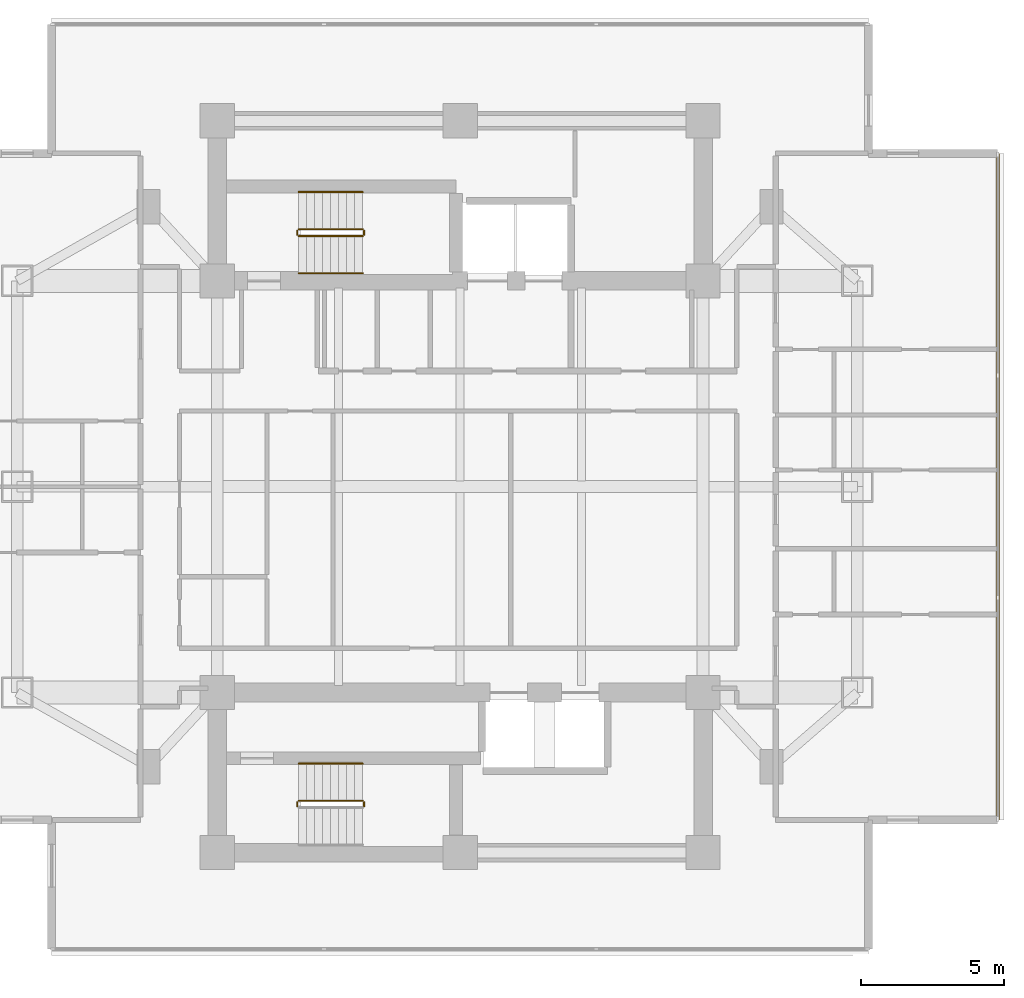
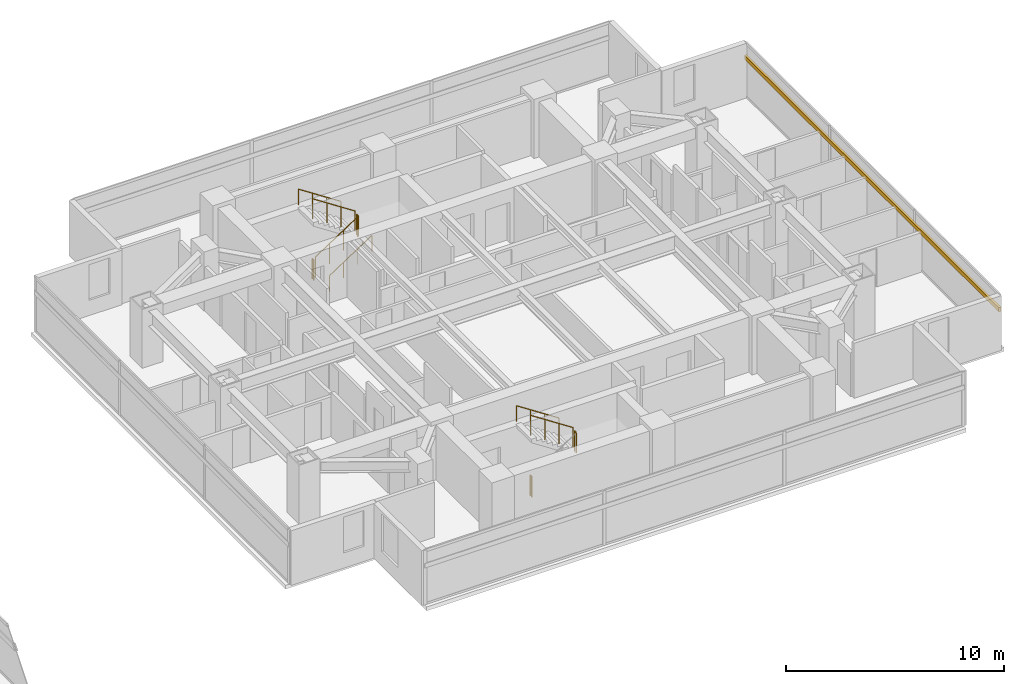
# One storey, part 24 of 25: 10 railings, 1 shading device.
"""IFC4 building model written with IfcOpenShell, lengths in metres."""

from ifc_helpers import new_model, si_unit, direction, frame, origin, origin_2d, place, context, subcontext, project, spatial, rectangle, circle, extrude, material, material_profile, profile_set, type_object, element, save


model = new_model("IFC4")

# Units and contexts
model_context = context("Model", 3, precision=1e-05, world=origin(), true_north=direction((0.0, 1.0)))
body_context = subcontext(model_context, "Body", "Model", "MODEL_VIEW")
ifc_project = project(units=[si_unit("LENGTHUNIT", "METRE"), si_unit("AREAUNIT", "SQUARE_METRE"), si_unit("VOLUMEUNIT", "CUBIC_METRE"), si_unit("PLANEANGLEUNIT", "RADIAN"), si_unit("MASSUNIT", "GRAM", prefix="KILO")], contexts=[model_context])

# Site, building, storey
site_placement = place(None, origin())
site = spatial("IfcSite", under=ifc_project, at=site_placement, CompositionType="ELEMENT")
building_placement = place(site_placement, origin())
building = spatial("IfcBuilding", under=site, at=building_placement, Name="Mirazonda Arch Towers", CompositionType="ELEMENT")
storey_placement = place(building_placement, frame((0.0, 0.0, 111.5)))
storey = spatial("IfcBuildingStorey", under=building, at=storey_placement, Name="L31", CompositionType="ELEMENT", Elevation=111.5)

# Shading device
ifc_material_1 = material(Name="Kiln-Fired Architectural Terracotta", Category="masonry")
ifc_material_profile = material_profile(ifc_material_1, rectangle(XDim=0.1201171875, YDim=0.239990234375, at=origin_2d()), Name="TERRA-BAG-120x240")
ifc_profile_set = profile_set([ifc_material_profile], Name="Kiln-Fired Architectural Terracotta")
shading_device_type = type_object("IfcShadingDeviceType", Name="BAGUETTE-1", PredefinedType="USERDEFINED", material=ifc_profile_set)
shading_device_placement = place(storey_placement, frame((95.30859375, 16.335693359375, 2.203125), z_axis=(0.0, 1.0, 0.0), x_axis=(-1.0, 0.0, 0.0)))
element("IfcShadingDevice", 1, at=shading_device_placement, inside=storey, type_object=shading_device_type, Name="L31 Glazed Terracotta Sun-Screen Baguette CW-L31-T2-E", ObjectType="BAGUETTE", PredefinedType="USERDEFINED", context=body_context, shape_type="SweptSolid", body=[
    extrude(rectangle(XDim=0.1201171875, YDim=0.239990234375, at=origin_2d()), origin(), (0.0, 0.0, 1.0), 23.32861328125),
])

# Railings
ifc_material_2 = material(Name="Architectural Brushed Steel S355", Category="steel")
railing_type_1 = type_object("IfcRailingType", Name="GUARD-STAIR-1120", PredefinedType="GUARDRAIL", material=ifc_material_2)
railing_1_placement = place(storey_placement, frame((70.85009765625, 36.77001953125, 0.183349609375)))
element("IfcRailing", 2, at=railing_1_placement, inside=storey, type_object=railing_type_1, Name="L31 ST-T2N stair guard 1", PredefinedType="GUARDRAIL", context=body_context, shape_type="SweptSolid", body=[
    extrude(circle(Radius=0.02392578125, at=origin_2d()), frame((0.0, 0.0, 1.1259765625), z_axis=(0.836636935527, 0.0, 0.547757827979), x_axis=(0.0, 1.0, 0.0)), (0.0, 0.0, 1.0), 2.677490234375),
    extrude(circle(Radius=0.02099609375, at=origin_2d()), origin(), (0.0, 0.0, 1.0), 1.101806640625),
    extrude(circle(Radius=0.02099609375, at=origin_2d()), frame((0.74658203125, 0.0, 0.48876953125)), (0.0, 0.0, 1.0), 1.101806640625),
    extrude(circle(Radius=0.02099609375, at=origin_2d()), frame((1.493408203125, 0.0, 0.977783203125)), (0.0, 0.0, 1.0), 1.101806640625),
    extrude(circle(Radius=0.02099609375, at=origin_2d()), frame((2.239990234375, 0.0, 1.466552734375)), (0.0, 0.0, 1.0), 1.101806640625),
])
railing_2_placement = place(storey_placement, frame((73.139892578125, 36.820068359375, 1.64990234375)))
element("IfcRailing", 3, at=railing_2_placement, inside=storey, type_object=railing_type_1, Name="L31 ST-T2N stair guard 2", PredefinedType="GUARDRAIL", context=body_context, shape_type="SweptSolid", body=[
    extrude(circle(Radius=0.02392578125, at=origin_2d()), frame((0.0, 0.0, 1.1259765625), z_axis=(0.0, 1.0, 0.0), x_axis=(-1.0, 0.0, 0.0)), (0.0, 0.0, 1.0), 0.139892578125),
    extrude(circle(Radius=0.02099609375, at=origin_2d()), origin(), (0.0, 0.0, 1.0), 1.101806640625),
    extrude(circle(Radius=0.02099609375, at=origin_2d()), frame((0.0, 0.139892578125, 0.0)), (0.0, 0.0, 1.0), 1.101806640625),
])
railing_3_placement = place(storey_placement, frame((73.090087890625, 37.010009765625, 1.833251953125)))
element("IfcRailing", 4, at=railing_3_placement, inside=storey, type_object=railing_type_1, Name="L31 ST-T2N stair guard 3", PredefinedType="GUARDRAIL", context=body_context, shape_type="SweptSolid", body=[
    extrude(circle(Radius=0.02392578125, at=origin_2d()), frame((0.0, 0.0, 1.1259765625), z_axis=(-0.836595146698, 0.0, 0.547821650285), x_axis=(0.0, -1.0, 0.0)), (0.0, 0.0, 1.0), 2.677490234375),
    extrude(circle(Radius=0.02099609375, at=origin_2d()), origin(), (0.0, 0.0, 1.0), 1.101806640625),
    extrude(circle(Radius=0.02099609375, at=origin_2d()), frame((-0.74658203125, 0.0, 0.489013671875)), (0.0, 0.0, 1.0), 1.101806640625),
    extrude(circle(Radius=0.02099609375, at=origin_2d()), frame((-1.493408203125, 0.0, 0.977783203125)), (0.0, 0.0, 1.0), 1.101806640625),
    extrude(circle(Radius=0.02099609375, at=origin_2d()), frame((-2.239990234375, 0.0, 1.466796875)), (0.0, 0.0, 1.0), 1.101806640625),
])
for number, where, name in (
    (5, (70.800048828125, 36.820068359375, 0.0), "L31 ST-T2N stair guard 4"),
    (6, (73.139892578125, 16.820068359375, 1.64990234375), "L31 ST-T2S stair guard 2"),
):
    element("IfcRailing", number, at=place(storey_placement, frame(where)), inside=storey, type_object=railing_type_1, Name=name, PredefinedType="GUARDRAIL", context=body_context, shape_type="SweptSolid", body=[
        extrude(circle(Radius=0.02392578125, at=origin_2d()), frame((0.0, 0.0, 1.1259765625), z_axis=(0.0, 1.0, 0.0), x_axis=(-1.0, 0.0, 0.0)), (0.0, 0.0, 1.0), 0.139892578125),
        extrude(circle(Radius=0.02099609375, at=origin_2d()), origin(), (0.0, 0.0, 1.0), 1.101806640625),
        extrude(circle(Radius=0.02099609375, at=origin_2d()), frame((0.0, 0.139892578125, 0.0)), (0.0, 0.0, 1.0), 1.101806640625),
    ])
railing_4_placement = place(storey_placement, frame((73.090087890625, 17.010009765625, 1.833251953125)))
element("IfcRailing", 7, at=railing_4_placement, inside=storey, type_object=railing_type_1, Name="L31 ST-T2S stair guard 3", PredefinedType="GUARDRAIL", context=body_context, shape_type="SweptSolid", body=[
    extrude(circle(Radius=0.02392578125, at=origin_2d()), frame((0.0, 0.0, 1.1259765625), z_axis=(-0.836595146698, 0.0, 0.547821650285), x_axis=(0.0, -1.0, 0.0)), (0.0, 0.0, 1.0), 2.677490234375),
    extrude(circle(Radius=0.02099609375, at=origin_2d()), origin(), (0.0, 0.0, 1.0), 1.101806640625),
    extrude(circle(Radius=0.02099609375, at=origin_2d()), frame((-0.74658203125, 0.0, 0.489013671875)), (0.0, 0.0, 1.0), 1.101806640625),
    extrude(circle(Radius=0.02099609375, at=origin_2d()), frame((-1.493408203125, 0.0, 0.977783203125)), (0.0, 0.0, 1.0), 1.101806640625),
    extrude(circle(Radius=0.02099609375, at=origin_2d()), frame((-2.239990234375, 0.0, 1.466796875)), (0.0, 0.0, 1.0), 1.101806640625),
])
railing_5_placement = place(storey_placement, frame((70.800048828125, 16.820068359375, 0.0)))
element("IfcRailing", 8, at=railing_5_placement, inside=storey, type_object=railing_type_1, Name="L31 ST-T2S stair guard 4", PredefinedType="GUARDRAIL", context=body_context, shape_type="SweptSolid", body=[
    extrude(circle(Radius=0.02392578125, at=origin_2d()), frame((0.0, 0.0, 1.1259765625), z_axis=(0.0, 1.0, 0.0), x_axis=(-1.0, 0.0, 0.0)), (0.0, 0.0, 1.0), 0.139892578125),
    extrude(circle(Radius=0.02099609375, at=origin_2d()), origin(), (0.0, 0.0, 1.0), 1.101806640625),
    extrude(circle(Radius=0.02099609375, at=origin_2d()), frame((0.0, 0.139892578125, 0.0)), (0.0, 0.0, 1.0), 1.101806640625),
])
railing_type_2 = type_object("IfcRailingType", Name="HANDRAIL-915", PredefinedType="HANDRAIL", material=ifc_material_2)
railing_6_placement = place(storey_placement, frame((70.85009765625, 35.469970703125, 0.183349609375)))
element("IfcRailing", 9, at=railing_6_placement, inside=storey, type_object=railing_type_2, Name="L31 ST-T2N stair handrail 1", PredefinedType="HANDRAIL", context=body_context, shape_type="SweptSolid", body=[
    extrude(circle(Radius=0.02392578125, at=origin_2d()), frame((0.0, 0.0, 0.8759765625), z_axis=(0.836636935527, 0.0, 0.547757827979), x_axis=(0.0, 1.0, 0.0)), (0.0, 0.0, 1.0), 2.677490234375),
    extrude(circle(Radius=0.02099609375, at=origin_2d()), origin(), (0.0, 0.0, 1.0), 0.851806640625),
    extrude(circle(Radius=0.02099609375, at=origin_2d()), frame((0.74658203125, 0.0, 0.48876953125)), (0.0, 0.0, 1.0), 0.851806640625),
    extrude(circle(Radius=0.02099609375, at=origin_2d()), frame((1.493408203125, 0.0, 0.977783203125)), (0.0, 0.0, 1.0), 0.851806640625),
    extrude(circle(Radius=0.02099609375, at=origin_2d()), frame((2.239990234375, 0.0, 1.466552734375)), (0.0, 0.0, 1.0), 0.851806640625),
])
for number, where, name in (
    (10, (73.090087890625, 38.31005859375, 1.833251953125), "L31 ST-T2N stair handrail 2"),
    (11, (73.090087890625, 18.31005859375, 1.833251953125), "L31 ST-T2S stair handrail 2"),
):
    element("IfcRailing", number, at=place(storey_placement, frame(where)), inside=storey, type_object=railing_type_2, Name=name, PredefinedType="HANDRAIL", context=body_context, shape_type="SweptSolid", body=[
        extrude(circle(Radius=0.02392578125, at=origin_2d()), frame((0.0, 0.0, 0.8759765625), z_axis=(-0.836595146698, 0.0, 0.547821650285), x_axis=(0.0, -1.0, 0.0)), (0.0, 0.0, 1.0), 2.677490234375),
        extrude(circle(Radius=0.02099609375, at=origin_2d()), origin(), (0.0, 0.0, 1.0), 0.851806640625),
        extrude(circle(Radius=0.02099609375, at=origin_2d()), frame((-0.74658203125, 0.0, 0.489013671875)), (0.0, 0.0, 1.0), 0.851806640625),
        extrude(circle(Radius=0.02099609375, at=origin_2d()), frame((-1.493408203125, 0.0, 0.977783203125)), (0.0, 0.0, 1.0), 0.851806640625),
        extrude(circle(Radius=0.02099609375, at=origin_2d()), frame((-2.239990234375, 0.0, 1.466796875)), (0.0, 0.0, 1.0), 0.851806640625),
    ])

save(model, "model.ifc")
